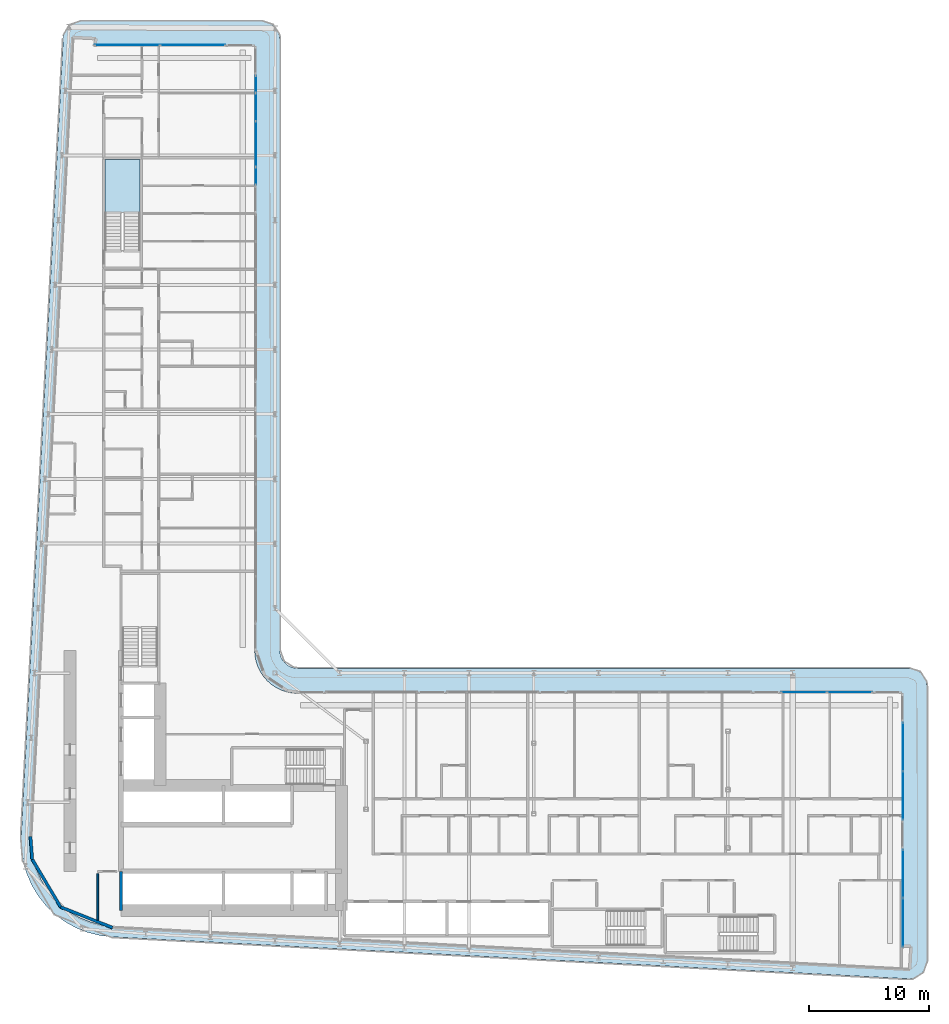
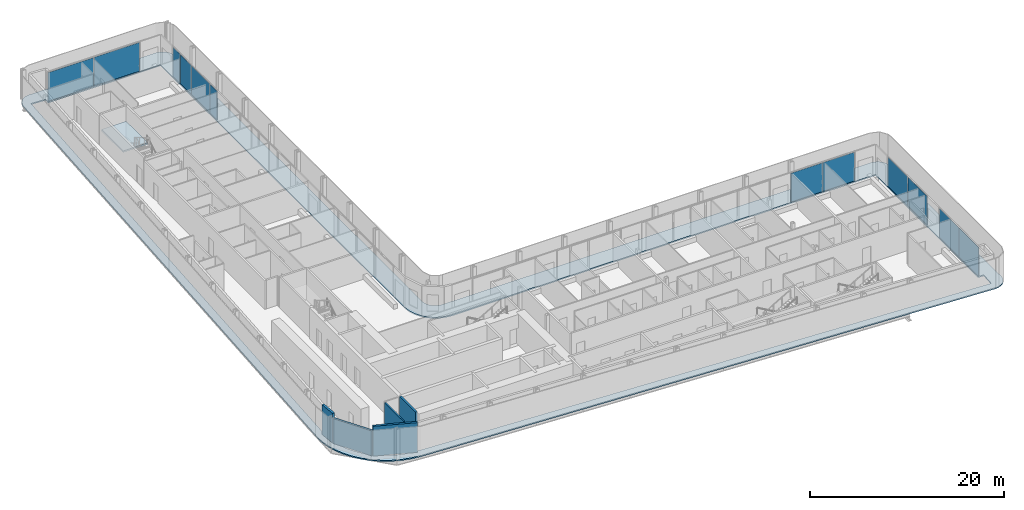
# One storey, part 11 of 27: 12 plates, 5 walls, 2 slabs, 7 elements without a shape of their own.
"""IFC4 building model written with IfcOpenShell, lengths in metres."""

from ifc_helpers import new_model, si_unit, direction, frame, frame_2d, origin, origin_2d, place, context, subcontext, project, spatial, polyline, rectangle, outline, extrude, material, layer, layer_set, type_object, element, aggregate, save


model = new_model("IFC4")

# Units and contexts
model_context = context("Model", 3, precision=1e-05, world=origin(), true_north=direction((0.0, 1.0)))
body_context = subcontext(model_context, "Body", "Model", "MODEL_VIEW")
ifc_project = project(units=[si_unit("LENGTHUNIT", "METRE"), si_unit("AREAUNIT", "SQUARE_METRE"), si_unit("VOLUMEUNIT", "CUBIC_METRE"), si_unit("PLANEANGLEUNIT", "RADIAN"), si_unit("MASSUNIT", "GRAM", prefix="KILO")], contexts=[model_context])

# Site, building, storey
site_placement = place(None, origin())
site = spatial("IfcSite", under=ifc_project, at=site_placement, CompositionType="ELEMENT")
building_placement = place(site_placement, origin())
building = spatial("IfcBuilding", under=site, at=building_placement, Name="Kheshtan School and Residences Tower", CompositionType="ELEMENT")
storey_placement = place(building_placement, frame((0.0, 0.0, 53.89990234375)))
storey = spatial("IfcBuildingStorey", under=building, at=storey_placement, Name="L12", CompositionType="ELEMENT", Elevation=53.89990234375)

# Curtain wall, plates
ifc_material_1 = material(Name="Clear low-e glass in thermally broken aluminium frame", Category="aluminium")
ifc_layer_1 = layer(ifc_material_1, 0.199951171875)
ifc_layer_set_1 = layer_set([ifc_layer_1], Name="Curtain wall CW-L")
curtain_wall_type = type_object("IfcCurtainWallType", Name="Curtain wall CW-L", PredefinedType="NOTDEFINED", material=ifc_layer_set_1)
curtain_wall_1_placement = place(storey_placement, origin())
curtain_wall_1 = element("IfcCurtainWall", 1, at=curtain_wall_1_placement, inside=storey, type_object=curtain_wall_type, Name="Curtain wall CWL7", PredefinedType="NOTDEFINED")
ifc_layer_2 = layer(ifc_material_1, 0.031982421875)
ifc_layer_set_2 = layer_set([ifc_layer_2], Name="CW-L glass panel")
plate_type = type_object("IfcPlateType", Name="CW-L glass panel", PredefinedType="CURTAIN_PANEL", material=ifc_layer_set_2)
plate_1_placement = place(storey_placement, frame((35.259033203125, 98.0, 0.000244140625), z_axis=(0.0, 0.0, 1.0), x_axis=(1.0, 0.0, 0.0)))
plate_1 = element("IfcPlate", 2, at=plate_1_placement, type_object=plate_type, Name="CWL7 panel 1.1", PredefinedType="CURTAIN_PANEL", context=body_context, shape_type="SweptSolid", body=[
    extrude(rectangle(XDim=5.4140625, YDim=0.031982421875, at=origin_2d()), origin(), (0.0, 0.0, 1.0), 3.6298828125),
])
plate_2_placement = place(storey_placement, frame((40.73291015625, 98.0, 0.000244140625), z_axis=(0.0, 0.0, 1.0), x_axis=(1.0, 0.0, 0.0)))
plate_2 = element("IfcPlate", 3, at=plate_2_placement, type_object=plate_type, Name="CWL7 panel 2.1", PredefinedType="CURTAIN_PANEL", context=body_context, shape_type="SweptSolid", body=[
    extrude(rectangle(XDim=5.4140625, YDim=0.031982421875, at=origin_2d()), origin(), (0.0, 0.0, 1.0), 3.6298828125),
])
aggregate(curtain_wall_1, [plate_1, plate_2])

curtain_wall_2_placement = place(storey_placement, origin())
curtain_wall_2 = element("IfcCurtainWall", 4, at=curtain_wall_2_placement, inside=storey, type_object=curtain_wall_type, Name="Curtain wall CWL8c", PredefinedType="NOTDEFINED")
plate_3_placement = place(storey_placement, frame((46.0, 94.735107421875, 0.000244140625), z_axis=(0.0, 0.0, 1.0), x_axis=(0.0, -1.0, 0.0)))
plate_3 = element("IfcPlate", 5, at=plate_3_placement, type_object=plate_type, Name="CWL8c panel 1.1", PredefinedType="CURTAIN_PANEL", context=body_context, shape_type="SweptSolid", body=[
    extrude(rectangle(XDim=1.409912109375, YDim=0.031982421875, at=origin_2d()), origin(), (0.0, 0.0, 1.0), 3.6298828125),
])
plate_4_placement = place(storey_placement, frame((46.0, 92.826416015625, 0.000244140625), z_axis=(0.0, 0.0, 1.0), x_axis=(0.0, -1.0, 0.0)))
plate_4 = element("IfcPlate", 6, at=plate_4_placement, type_object=plate_type, Name="CWL8c panel 2.1", PredefinedType="CURTAIN_PANEL", context=body_context, shape_type="SweptSolid", body=[
    extrude(rectangle(XDim=2.287109375, YDim=0.031982421875, at=origin_2d()), origin(), (0.0, 0.0, 1.0), 3.6298828125),
])
plate_5_placement = place(storey_placement, frame((46.0, 89.744384765625, 0.000244140625), z_axis=(0.0, 0.0, 1.0), x_axis=(0.0, -1.0, 0.0)))
plate_5 = element("IfcPlate", 7, at=plate_5_placement, type_object=plate_type, Name="CWL8c panel 3.1", PredefinedType="CURTAIN_PANEL", context=body_context, shape_type="SweptSolid", body=[
    extrude(rectangle(XDim=3.757080078125, YDim=0.031982421875, at=origin_2d()), origin(), (0.0, 0.0, 1.0), 3.6298828125),
])
aggregate(curtain_wall_2, [plate_3, plate_4, plate_5])

# Curtain wall, plate
curtain_wall_3_placement = place(storey_placement, origin())
curtain_wall_3 = element("IfcCurtainWall", 8, at=curtain_wall_3_placement, inside=storey, type_object=curtain_wall_type, Name="Curtain wall CWL8a", PredefinedType="NOTDEFINED")
plate_6_placement = place(storey_placement, frame((46.0, 87.0859375, 0.000244140625), z_axis=(0.0, 0.0, 1.0), x_axis=(0.0, -1.0, 0.0)))
plate_6 = element("IfcPlate", 9, at=plate_6_placement, type_object=plate_type, Name="CWL8a panel 1.1", PredefinedType="CURTAIN_PANEL", context=body_context, shape_type="SweptSolid", body=[
    extrude(rectangle(XDim=1.43994140625, YDim=0.031982421875, at=origin_2d()), origin(), (0.0, 0.0, 1.0), 3.6298828125),
])
aggregate(curtain_wall_3, [plate_6])

# Curtain wall, plates
curtain_wall_4_placement = place(storey_placement, origin())
curtain_wall_4 = element("IfcCurtainWall", 10, at=curtain_wall_4_placement, inside=storey, type_object=curtain_wall_type, Name="Curtain wall CWL12j", PredefinedType="NOTDEFINED")
plate_7_placement = place(storey_placement, frame((91.744384765625, 44.0, 0.000244140625), z_axis=(0.0, 0.0, 1.0), x_axis=(1.0, 0.0, 0.0)))
plate_7 = element("IfcPlate", 11, at=plate_7_placement, type_object=plate_type, Name="CWL12j panel 1.1", PredefinedType="CURTAIN_PANEL", context=body_context, shape_type="SweptSolid", body=[
    extrude(rectangle(XDim=3.757080078125, YDim=0.031982421875, at=origin_2d()), origin(), (0.0, 0.0, 1.0), 3.6298828125),
])
plate_8_placement = place(storey_placement, frame((95.5615234375, 44.0, 0.000244140625), z_axis=(0.0, 0.0, 1.0), x_axis=(1.0, 0.0, 0.0)))
plate_8 = element("IfcPlate", 12, at=plate_8_placement, type_object=plate_type, Name="CWL12j panel 2.1", PredefinedType="CURTAIN_PANEL", context=body_context, shape_type="SweptSolid", body=[
    extrude(rectangle(XDim=3.757080078125, YDim=0.031982421875, at=origin_2d()), origin(), (0.0, 0.0, 1.0), 3.6298828125),
])
aggregate(curtain_wall_4, [plate_7, plate_8])

curtain_wall_5_placement = place(storey_placement, origin())
curtain_wall_5 = element("IfcCurtainWall", 13, at=curtain_wall_5_placement, inside=storey, type_object=curtain_wall_type, Name="Curtain wall CWL13b", PredefinedType="NOTDEFINED")
plate_9_placement = place(storey_placement, frame((100.0, 39.436767578125, 0.000244140625), z_axis=(0.0, 0.0, 1.0), x_axis=(0.0, -1.0, 0.0)))
plate_9 = element("IfcPlate", 14, at=plate_9_placement, type_object=plate_type, Name="CWL13b panel 1.1", PredefinedType="CURTAIN_PANEL", context=body_context, shape_type="SweptSolid", body=[
    extrude(rectangle(XDim=4.006591796875, YDim=0.031982421875, at=origin_2d()), origin(), (0.0, 0.0, 1.0), 3.6298828125),
])
plate_10_placement = place(storey_placement, frame((100.0, 35.370361328125, 0.000244140625), z_axis=(0.0, 0.0, 1.0), x_axis=(0.0, -1.0, 0.0)))
plate_10 = element("IfcPlate", 15, at=plate_10_placement, type_object=plate_type, Name="CWL13b panel 2.1", PredefinedType="CURTAIN_PANEL", context=body_context, shape_type="SweptSolid", body=[
    extrude(rectangle(XDim=4.006591796875, YDim=0.031982421875, at=origin_2d()), origin(), (0.0, 0.0, 1.0), 3.6298828125),
])
aggregate(curtain_wall_5, [plate_9, plate_10])

curtain_wall_6_placement = place(storey_placement, origin())
curtain_wall_6 = element("IfcCurtainWall", 16, at=curtain_wall_6_placement, inside=storey, type_object=curtain_wall_type, Name="Curtain wall CWL13b", PredefinedType="NOTDEFINED")
plate_11_placement = place(storey_placement, frame((100.0, 28.84375, 0.000244140625), z_axis=(0.0, 0.0, 1.0), x_axis=(0.0, -1.0, 0.0)))
plate_11 = element("IfcPlate", 17, at=plate_11_placement, type_object=plate_type, Name="CWL13b panel 1.1", PredefinedType="CURTAIN_PANEL", context=body_context, shape_type="SweptSolid", body=[
    extrude(rectangle(XDim=4.006591796875, YDim=0.031982421875, at=origin_2d()), origin(), (0.0, 0.0, 1.0), 3.6298828125),
])
plate_12_placement = place(storey_placement, frame((100.0, 24.77734375, 0.000244140625), z_axis=(0.0, 0.0, 1.0), x_axis=(0.0, -1.0, 0.0)))
plate_12 = element("IfcPlate", 18, at=plate_12_placement, type_object=plate_type, Name="CWL13b panel 2.1", PredefinedType="CURTAIN_PANEL", context=body_context, shape_type="SweptSolid", body=[
    extrude(rectangle(XDim=4.006591796875, YDim=0.031982421875, at=origin_2d()), origin(), (0.0, 0.0, 1.0), 3.6298828125),
])
aggregate(curtain_wall_6, [plate_11, plate_12])

# Slab
ifc_material_2 = material(Name="Concrete C40/50", Category="concrete")
ifc_layer_3 = layer(ifc_material_2, 0.14990234375)
ifc_layer_set_3 = layer_set([ifc_layer_3], Name="Loggia balcony slab 150 Concrete C40/50")
slab_type_1 = type_object("IfcSlabType", Name="Loggia balcony slab 150 Concrete C40/50", PredefinedType="FLOOR", material=ifc_layer_set_3)
slab_1_placement = place(storey_placement, frame((0.0, 0.0, -0.14990234375)))
element("IfcSlab", 19, at=slab_1_placement, inside=storey, type_object=slab_type_1, Name="Loggia balcony slab L12", PredefinedType="FLOOR", context=body_context, shape_type="SweptSolid", body=[
    extrude(outline(polyline([(28.4580078125, 26.222900390625), (28.45703125, 26.222900390625), (28.45703125, 26.22412109375), (28.4560546875, 26.22412109375), (27.81494140625, 27.0390625), (27.281005859375, 27.93798828125), (26.867919921875, 28.89990234375), (26.583984375, 29.89990234375), (26.583984375, 29.906982421875), (26.43408203125, 30.943115234375), (26.419921875, 31.989013671875), (29.925048828125, 98.5791015625), (29.930908203125, 98.626953125), (29.930908203125, 98.6279296875), (29.929931640625, 98.6279296875), (29.929931640625, 98.62890625), (29.928955078125, 98.62890625), (29.928955078125, 98.6298828125), (29.927978515625, 98.6298828125), (29.927978515625, 98.631103515625), (29.927001953125, 98.631103515625), (29.927001953125, 98.632080078125), (29.927001953125, 98.633056640625), (29.945068359375, 98.781005859375), (29.945068359375, 98.783935546875), (29.945068359375, 98.784912109375), (29.946044921875, 98.784912109375), (29.946044921875, 98.785888671875), (29.947021484375, 98.785888671875), (29.947021484375, 98.787109375), (29.947998046875, 98.787109375), (29.948974609375, 98.787109375), (29.948974609375, 98.7880859375), (29.949951171875, 98.7880859375), (29.949951171875, 98.7890625), (29.949951171875, 98.791015625), (30.0029296875, 98.98388671875), (30.083984375, 99.175048828125), (30.18896484375, 99.35302734375), (30.31103515625, 99.507080078125), (30.31201171875, 99.507080078125), (30.31201171875, 99.508056640625), (30.31298828125, 99.508056640625), (30.31298828125, 99.509033203125), (30.31396484375, 99.509033203125), (30.31396484375, 99.510009765625), (30.31494140625, 99.510009765625), (30.31494140625, 99.510986328125), (30.31591796875, 99.510986328125), (30.31591796875, 99.511962890625), (30.31689453125, 99.511962890625), (30.31689453125, 99.512939453125), (30.318115234375, 99.512939453125), (30.320068359375, 99.512939453125), (30.321044921875, 99.512939453125), (30.321044921875, 99.513916015625), (30.468017578125, 99.656982421875), (30.468994140625, 99.656982421875), (30.468994140625, 99.657958984375), (30.469970703125, 99.657958984375), (30.469970703125, 99.658935546875), (30.470947265625, 99.658935546875), (30.470947265625, 99.659912109375), (30.471923828125, 99.659912109375), (30.471923828125, 99.660888671875), (30.472900390625, 99.660888671875), (30.472900390625, 99.662109375), (30.47412109375, 99.662109375), (30.47412109375, 99.6630859375), (30.47509765625, 99.6630859375), (30.47509765625, 99.6640625), (30.635986328125, 99.777099609375), (30.820068359375, 99.873046875), (31.007080078125, 99.943115234375), (31.013916015625, 99.943115234375), (31.217041015625, 99.986083984375), (31.423095703125, 100.0), (46.5, 100.0), (46.696044921875, 99.987060546875), (46.887939453125, 99.948974609375), (46.89501953125, 99.948974609375), (47.073974609375, 99.885986328125), (47.243896484375, 99.801025390625), (47.2451171875, 99.801025390625), (47.2470703125, 99.801025390625), (47.248046875, 99.801025390625), (47.248046875, 99.802001953125), (47.2490234375, 99.802001953125), (47.2490234375, 99.802978515625), (47.25, 99.802978515625), (47.2529296875, 99.802978515625), (47.25390625, 99.802978515625), (47.25390625, 99.802001953125), (47.2548828125, 99.802001953125), (47.2548828125, 99.801025390625), (47.256103515625, 99.801025390625), (47.256103515625, 99.800048828125), (47.257080078125, 99.800048828125), (47.257080078125, 99.799072265625), (47.258056640625, 99.799072265625), (47.258056640625, 99.798095703125), (47.412109375, 99.696044921875), (47.4130859375, 99.696044921875), (47.4130859375, 99.695068359375), (47.4140625, 99.695068359375), (47.4140625, 99.694091796875), (47.4140625, 99.68994140625), (47.4140625, 99.68896484375), (47.4150390625, 99.68896484375), (47.4150390625, 99.68798828125), (47.416015625, 99.68798828125), (47.416015625, 99.68701171875), (47.4169921875, 99.68701171875), (47.4169921875, 99.68603515625), (47.554931640625, 99.568115234375), (47.554931640625, 99.56689453125), (47.555908203125, 99.56689453125), (47.555908203125, 99.56591796875), (47.556884765625, 99.56591796875), (47.556884765625, 99.56494140625), (47.55810546875, 99.56494140625), (47.55810546875, 99.56396484375), (47.55908203125, 99.56396484375), (47.55908203125, 99.56298828125), (47.56005859375, 99.56298828125), (47.56005859375, 99.56201171875), (47.56103515625, 99.56201171875), (47.56201171875, 99.56103515625), (47.56201171875, 99.56005859375), (47.56298828125, 99.56005859375), (47.56298828125, 99.55908203125), (47.56396484375, 99.55908203125), (47.56396484375, 99.55810546875), (47.56494140625, 99.55810546875), (47.56494140625, 99.556884765625), (47.56591796875, 99.556884765625), (47.56591796875, 99.555908203125), (47.56689453125, 99.555908203125), (47.56689453125, 99.554931640625), (47.568115234375, 99.554931640625), (47.68505859375, 99.41796875), (47.68603515625, 99.41796875), (47.68603515625, 99.4169921875), (47.68701171875, 99.4169921875), (47.68701171875, 99.416015625), (47.68798828125, 99.416015625), (47.68798828125, 99.4150390625), (47.68896484375, 99.4150390625), (47.68896484375, 99.4140625), (47.68994140625, 99.4140625), (47.694091796875, 99.4140625), (47.695068359375, 99.4140625), (47.695068359375, 99.4130859375), (47.696044921875, 99.4130859375), (47.696044921875, 99.412109375), (47.797119140625, 99.259033203125), (47.798095703125, 99.259033203125), (47.798095703125, 99.258056640625), (47.799072265625, 99.258056640625), (47.799072265625, 99.257080078125), (47.800048828125, 99.257080078125), (47.800048828125, 99.256103515625), (47.801025390625, 99.256103515625), (47.801025390625, 99.2548828125), (47.802001953125, 99.2548828125), (47.802001953125, 99.25390625), (47.802978515625, 99.25390625), (47.802978515625, 99.2529296875), (47.802978515625, 99.25), (47.802978515625, 99.2490234375), (47.802001953125, 99.2490234375), (47.802001953125, 99.248046875), (47.801025390625, 99.248046875), (47.801025390625, 99.2470703125), (47.801025390625, 99.243896484375), (47.801025390625, 99.242919921875), (47.885986328125, 99.073974609375), (47.948974609375, 98.89501953125), (47.948974609375, 98.887939453125), (47.987060546875, 98.696044921875), (48.0, 98.5), (48.0, 47.5), (48.012939453125, 47.303955078125), (48.051025390625, 47.113037109375), (48.051025390625, 47.10693359375), (48.051025390625, 47.10595703125), (48.114013671875, 46.926025390625), (48.200927734375, 46.75), (48.31005859375, 46.5869140625), (48.431884765625, 46.444091796875), (48.43310546875, 46.444091796875), (48.43310546875, 46.443115234375), (48.43408203125, 46.443115234375), (48.43408203125, 46.44189453125), (48.43505859375, 46.44189453125), (48.43505859375, 46.44091796875), (48.43603515625, 46.44091796875), (48.43603515625, 46.43994140625), (48.43701171875, 46.43994140625), (48.43701171875, 46.43896484375), (48.43798828125, 46.43896484375), (48.43896484375, 46.43798828125), (48.43896484375, 46.43701171875), (48.43994140625, 46.43701171875), (48.43994140625, 46.43603515625), (48.44091796875, 46.43603515625), (48.44091796875, 46.43505859375), (48.44189453125, 46.43505859375), (48.44189453125, 46.43408203125), (48.443115234375, 46.43408203125), (48.443115234375, 46.43310546875), (48.444091796875, 46.43310546875), (48.444091796875, 46.431884765625), (48.5869140625, 46.31005859375), (48.75, 46.200927734375), (48.926025390625, 46.114013671875), (49.10595703125, 46.051025390625), (49.10693359375, 46.051025390625), (49.113037109375, 46.051025390625), (49.303955078125, 46.012939453125), (49.5, 46.0), (100.5, 46.0), (100.696044921875, 45.987060546875), (100.887939453125, 45.948974609375), (100.89501953125, 45.948974609375), (101.073974609375, 45.885986328125), (101.241943359375, 45.801025390625), (101.242919921875, 45.801025390625), (101.2470703125, 45.801025390625), (101.248046875, 45.801025390625), (101.248046875, 45.802001953125), (101.2490234375, 45.802001953125), (101.2490234375, 45.802978515625), (101.25, 45.802978515625), (101.2529296875, 45.802978515625), (101.25390625, 45.802978515625), (101.25390625, 45.802001953125), (101.2548828125, 45.802001953125), (101.2548828125, 45.801025390625), (101.256103515625, 45.801025390625), (101.256103515625, 45.800048828125), (101.257080078125, 45.800048828125), (101.257080078125, 45.799072265625), (101.258056640625, 45.799072265625), (101.258056640625, 45.798095703125), (101.259033203125, 45.798095703125), (101.259033203125, 45.797119140625), (101.260009765625, 45.797119140625), (101.260009765625, 45.7958984375), (101.412109375, 45.696044921875), (101.4130859375, 45.696044921875), (101.4130859375, 45.695068359375), (101.4140625, 45.695068359375), (101.4140625, 45.694091796875), (101.4140625, 45.68994140625), (101.4140625, 45.68896484375), (101.4150390625, 45.68896484375), (101.4150390625, 45.68798828125), (101.416015625, 45.68798828125), (101.416015625, 45.68701171875), (101.4169921875, 45.68701171875), (101.4169921875, 45.68603515625), (101.41796875, 45.68603515625), (101.41796875, 45.68505859375), (101.4189453125, 45.68505859375), (101.4189453125, 45.68408203125), (101.554931640625, 45.568115234375), (101.554931640625, 45.56689453125), (101.555908203125, 45.56689453125), (101.555908203125, 45.56591796875), (101.556884765625, 45.56591796875), (101.556884765625, 45.56494140625), (101.55810546875, 45.56494140625), (101.55810546875, 45.56396484375), (101.55908203125, 45.56396484375), (101.55908203125, 45.56298828125), (101.56005859375, 45.56298828125), (101.56005859375, 45.56201171875), (101.56103515625, 45.56201171875), (101.56201171875, 45.56103515625), (101.56201171875, 45.56005859375), (101.56298828125, 45.56005859375), (101.56298828125, 45.55908203125), (101.56396484375, 45.55908203125), (101.56396484375, 45.55810546875), (101.56494140625, 45.55810546875), (101.56494140625, 45.556884765625), (101.56591796875, 45.556884765625), (101.56591796875, 45.555908203125), (101.56689453125, 45.555908203125), (101.56689453125, 45.554931640625), (101.568115234375, 45.554931640625), (101.681884765625, 45.4208984375), (101.68310546875, 45.4208984375), (101.68310546875, 45.419921875), (101.68408203125, 45.419921875), (101.68408203125, 45.4189453125), (101.68505859375, 45.4189453125), (101.68505859375, 45.41796875), (101.68603515625, 45.41796875), (101.68603515625, 45.4169921875), (101.68701171875, 45.4169921875), (101.68701171875, 45.416015625), (101.68798828125, 45.416015625), (101.68798828125, 45.4150390625), (101.68896484375, 45.4150390625), (101.68896484375, 45.4140625), (101.68994140625, 45.4140625), (101.694091796875, 45.4140625), (101.695068359375, 45.4140625), (101.695068359375, 45.4130859375), (101.696044921875, 45.4130859375), (101.696044921875, 45.412109375), (101.7939453125, 45.261962890625), (101.794921875, 45.261962890625), (101.794921875, 45.260986328125), (101.7958984375, 45.260986328125), (101.7958984375, 45.260009765625), (101.797119140625, 45.260009765625), (101.797119140625, 45.259033203125), (101.798095703125, 45.259033203125), (101.798095703125, 45.258056640625), (101.799072265625, 45.258056640625), (101.799072265625, 45.257080078125), (101.800048828125, 45.257080078125), (101.800048828125, 45.256103515625), (101.801025390625, 45.256103515625), (101.801025390625, 45.2548828125), (101.802001953125, 45.2548828125), (101.802001953125, 45.25390625), (101.802978515625, 45.25390625), (101.802978515625, 45.2529296875), (101.802978515625, 45.25), (101.802978515625, 45.2490234375), (101.802001953125, 45.2490234375), (101.802001953125, 45.248046875), (101.801025390625, 45.248046875), (101.801025390625, 45.2470703125), (101.801025390625, 45.240966796875), (101.801025390625, 45.239990234375), (101.885986328125, 45.073974609375), (101.948974609375, 44.89501953125), (101.948974609375, 44.887939453125), (101.987060546875, 44.696044921875), (102.0, 44.5), (102.0, 21.5810546875), (101.986083984375, 21.37890625), (101.945068359375, 21.179931640625), (101.945068359375, 21.173095703125), (101.8779296875, 20.989013671875), (101.785888671875, 20.80810546875), (101.6708984375, 20.64306640625), (101.6708984375, 20.64208984375), (101.6708984375, 20.64111328125), (101.6708984375, 20.639892578125), (101.672119140625, 20.639892578125), (101.672119140625, 20.638916015625), (101.672119140625, 20.636962890625), (101.672119140625, 20.635986328125), (101.6708984375, 20.635986328125), (101.6708984375, 20.635009765625), (101.5380859375, 20.491943359375), (101.534912109375, 20.489013671875), (101.533935546875, 20.489013671875), (101.533935546875, 20.488037109375), (101.532958984375, 20.488037109375), (101.531005859375, 20.488037109375), (101.530029296875, 20.488037109375), (101.530029296875, 20.489013671875), (101.529052734375, 20.489013671875), (101.528076171875, 20.489013671875), (101.527099609375, 20.489013671875), (101.3759765625, 20.364013671875), (101.2041015625, 20.256103515625), (101.01904296875, 20.174072265625), (100.8310546875, 20.116943359375), (100.823974609375, 20.116943359375), (100.6240234375, 20.0859375), (100.4208984375, 20.0830078125), (33.989013671875, 23.580078125), (33.94189453125, 23.5859375), (33.94091796875, 23.5859375), (33.93994140625, 23.5859375), (33.93994140625, 23.5849609375), (33.93896484375, 23.5849609375), (33.93896484375, 23.583984375), (33.93798828125, 23.583984375), (33.93798828125, 23.5830078125), (33.93701171875, 23.5830078125), (33.93701171875, 23.58203125), (33.93603515625, 23.58203125), (33.93505859375, 23.58203125), (32.952880859375, 23.697998046875), (32.949951171875, 23.697998046875), (32.948974609375, 23.697998046875), (32.948974609375, 23.698974609375), (32.947998046875, 23.698974609375), (32.947998046875, 23.699951171875), (32.947021484375, 23.699951171875), (32.947021484375, 23.700927734375), (32.947021484375, 23.702880859375), (32.947021484375, 23.7041015625), (32.946044921875, 23.7041015625), (32.946044921875, 23.705078125), (32.945068359375, 23.705078125), (32.944091796875, 23.705078125), (31.93603515625, 23.9609375), (31.928955078125, 23.9609375), (30.964111328125, 24.34912109375), (30.051025390625, 24.860107421875), (29.218994140625, 25.47900390625), (29.218994140625, 25.47998046875), (29.218017578125, 25.47998046875), (29.218017578125, 25.48095703125), (29.217041015625, 25.48095703125), (29.217041015625, 25.48193359375), (29.216064453125, 25.48193359375), (29.216064453125, 25.48291015625), (29.215087890625, 25.48291015625), (29.215087890625, 25.48388671875), (29.214111328125, 25.48388671875), (29.214111328125, 25.485107421875), (29.212890625, 25.485107421875), (29.212890625, 25.486083984375), (29.2119140625, 25.486083984375), (28.466064453125, 26.217041015625), (28.466064453125, 26.218017578125), (28.465087890625, 26.218017578125), (28.462890625, 26.218017578125), (28.4619140625, 26.218017578125), (28.4619140625, 26.218994140625), (28.4609375, 26.218994140625), (28.4609375, 26.219970703125), (28.4599609375, 26.219970703125), (28.4599609375, 26.220947265625), (28.458984375, 26.220947265625), (28.458984375, 26.221923828125), (28.4580078125, 26.221923828125), (28.4580078125, 26.222900390625)]), holes=[polyline([(29.12890625, 26.824951171875), (29.12890625, 26.823974609375), (29.1298828125, 26.823974609375), (29.1298828125, 26.822998046875), (29.131103515625, 26.822998046875), (29.131103515625, 26.822021484375), (29.132080078125, 26.822021484375), (29.132080078125, 26.821044921875), (29.133056640625, 26.821044921875), (29.133056640625, 26.820068359375), (29.134033203125, 26.820068359375), (29.7958984375, 26.173095703125), (29.7958984375, 26.172119140625), (29.797119140625, 26.172119140625), (29.798095703125, 26.172119140625), (29.799072265625, 26.172119140625), (29.799072265625, 26.1708984375), (29.800048828125, 26.1708984375), (29.800048828125, 26.169921875), (29.801025390625, 26.169921875), (29.801025390625, 26.1689453125), (29.802001953125, 26.1689453125), (29.802001953125, 26.16796875), (29.802978515625, 26.16796875), (29.802978515625, 26.1669921875), (29.803955078125, 26.1669921875), (29.803955078125, 26.166015625), (30.541015625, 25.616943359375), (31.35205078125, 25.1630859375), (32.208984375, 24.819091796875), (32.2099609375, 24.819091796875), (32.216064453125, 24.819091796875), (33.114990234375, 24.590087890625), (34.06591796875, 24.47705078125), (100.43798828125, 20.98291015625), (100.465087890625, 20.98388671875), (100.466064453125, 20.98388671875), (100.467041015625, 20.98388671875), (100.467041015625, 20.985107421875), (100.468017578125, 20.985107421875), (100.468017578125, 20.986083984375), (100.468017578125, 20.987060546875), (100.55810546875, 22.676025390625), (100.55810546875, 22.677001953125), (100.55810546875, 22.677978515625), (100.556884765625, 22.677978515625), (100.556884765625, 22.678955078125), (100.555908203125, 22.678955078125), (100.554931640625, 22.678955078125), (99.90087890625, 22.714111328125), (99.89990234375, 22.714111328125), (99.89990234375, 22.715087890625), (99.89990234375, 43.89794921875), (99.89990234375, 43.89892578125), (99.89892578125, 43.89892578125), (99.89892578125, 43.89990234375), (99.89794921875, 43.89990234375), (49.429931640625, 43.89990234375), (49.030029296875, 43.927001953125), (48.569091796875, 44.01806640625), (48.56201171875, 44.01806640625), (48.1201171875, 44.169921875), (47.697021484375, 44.37890625), (47.30810546875, 44.638916015625), (46.95703125, 44.944091796875), (46.95703125, 44.945068359375), (46.9560546875, 44.945068359375), (46.9560546875, 44.946044921875), (46.955078125, 44.946044921875), (46.955078125, 44.947021484375), (46.9541015625, 44.947021484375), (46.9541015625, 44.947998046875), (46.952880859375, 44.947998046875), (46.952880859375, 44.948974609375), (46.951904296875, 44.948974609375), (46.951904296875, 44.949951171875), (46.951904296875, 44.950927734375), (46.950927734375, 44.950927734375), (46.950927734375, 44.951904296875), (46.949951171875, 44.951904296875), (46.948974609375, 44.951904296875), (46.948974609375, 44.952880859375), (46.947998046875, 44.952880859375), (46.947998046875, 44.9541015625), (46.947021484375, 44.9541015625), (46.947021484375, 44.955078125), (46.946044921875, 44.955078125), (46.946044921875, 44.9560546875), (46.945068359375, 44.9560546875), (46.945068359375, 44.95703125), (46.944091796875, 44.95703125), (46.638916015625, 45.30810546875), (46.37890625, 45.697021484375), (46.169921875, 46.1201171875), (46.01806640625, 46.56201171875), (46.01806640625, 46.569091796875), (45.927001953125, 47.030029296875), (45.89990234375, 47.429931640625), (45.89990234375, 97.89794921875), (45.89990234375, 97.89892578125), (45.89892578125, 97.89892578125), (45.89892578125, 97.89990234375), (45.89794921875, 97.89990234375), (32.492919921875, 97.89990234375), (32.491943359375, 97.89990234375), (32.52099609375, 98.43896484375), (32.52099609375, 98.43994140625), (32.52099609375, 98.44091796875), (32.52001953125, 98.44091796875), (32.52001953125, 98.44189453125), (32.51904296875, 98.44189453125), (32.51806640625, 98.44189453125), (30.8291015625, 98.531982421875), (30.827880859375, 98.531982421875), (30.826904296875, 98.531982421875), (30.826904296875, 98.531005859375), (30.825927734375, 98.531005859375), (30.825927734375, 98.530029296875), (30.825927734375, 98.529052734375), (30.822021484375, 98.5009765625), (27.320068359375, 31.970947265625), (27.3330078125, 31.013916015625), (27.466064453125, 30.093994140625), (27.466064453125, 30.087890625), (27.466064453125, 30.0869140625), (27.718017578125, 29.200927734375), (28.0849609375, 28.345947265625), (28.55908203125, 27.550048828125), (29.126953125, 26.825927734375), (29.1279296875, 26.825927734375), (29.1279296875, 26.824951171875), (29.12890625, 26.824951171875)])]), origin(), (0.0, 0.0, 1.0), 0.14990234375),
])

# Stair, slab
stair_type = type_object("IfcStairType", Name="Exit stair, half-turn", PredefinedType="HALF_TURN_STAIR", material=ifc_material_2)
stair_placement = place(storey_placement, origin())
stair = element("IfcStair", 20, at=stair_placement, inside=storey, type_object=stair_type, Name="L12 Protected Exit Stair ST3", PredefinedType="HALF_TURN_STAIR")
ifc_layer_4 = layer(ifc_material_2, 0.199951171875)
ifc_layer_set_4 = layer_set([ifc_layer_4], Name="Stair landing 200 Concrete C40/50")
slab_type_2 = type_object("IfcSlabType", Name="Stair landing 200 Concrete C40/50", PredefinedType="LANDING", material=ifc_layer_set_4)
slab_2_placement = place(storey_placement, frame((0.0, 0.0, 1.75)))
slab_2 = element("IfcSlab", 21, at=slab_2_placement, type_object=slab_type_2, Name="ST3 landing 1", PredefinedType="LANDING", context=body_context, shape_type="SweptSolid", body=[
    extrude(outline(polyline([(36.35009765625, 83.97998046875), (36.35009765625, 88.4599609375), (33.39990234375, 88.4599609375), (33.39990234375, 83.97998046875), (36.35009765625, 83.97998046875)])), origin(), (0.0, 0.0, 1.0), 0.2001953125),
])
aggregate(stair, [slab_2])

# Walls
ifc_material_3 = material(Name="Concrete C40/50 with ceramic cladding and mineral wool insulation", Category="concrete")
ifc_layer_5 = layer(ifc_material_3, 0.25)
ifc_layer_set_5 = layer_set([ifc_layer_5], Name="External wall 250 ceramic clad")
wall_type_1 = type_object("IfcWallType", Name="External wall 250 ceramic clad", PredefinedType="SOLIDWALL", material=ifc_layer_set_5)
wall_1_placement = place(storey_placement, frame((34.0390625, 24.35302734375, 0.0), z_axis=(0.0, 0.0, 1.0), x_axis=(-0.929352825399, 0.369192803184, 0.0)))
element("IfcWall", 22, at=wall_1_placement, inside=storey, type_object=wall_type_1, Name="External wall L12 1", PredefinedType="SOLIDWALL", context=body_context, shape_type="SweptSolid", body=[
    extrude(rectangle(XDim=4.656005859375, YDim=0.25, at=frame_2d((2.328125, 0.0))), origin(), (0.0, 0.0, 1.0), 3.75),
])
wall_2_placement = place(storey_placement, frame((29.7119140625, 26.072021484375, 0.0), z_axis=(0.0, 0.0, 1.0), x_axis=(-0.511028049012, 0.859564036662, 0.0)))
element("IfcWall", 23, at=wall_2_placement, inside=storey, type_object=wall_type_1, Name="External wall L12 2", PredefinedType="SOLIDWALL", context=body_context, shape_type="SweptSolid", body=[
    extrude(rectangle(XDim=4.633544921875, YDim=0.25, at=frame_2d((2.31689453125, 0.0))), origin(), (0.0, 0.0, 1.0), 3.133056640625),
])
wall_3_placement = place(storey_placement, frame((27.343994140625, 30.054931640625, 0.0), z_axis=(0.0, 0.0, 1.0), x_axis=(-0.077571675317, 0.99698677784, 0.0)))
element("IfcWall", 24, at=wall_3_placement, inside=storey, type_object=wall_type_1, Name="External wall L12 3", PredefinedType="SOLIDWALL", context=body_context, shape_type="SweptSolid", body=[
    extrude(rectangle(XDim=1.919921875, YDim=0.25, at=frame_2d((0.9599609375, 0.0))), origin(), (0.0, 0.0, 1.0), 3.75),
])
ifc_material_4 = material(Name="Fire-board shaft wall system")
ifc_layer_6 = layer(ifc_material_4, 0.14990234375)
ifc_layer_set_6 = layer_set([ifc_layer_6], Name="Service room wall 150")
wall_type_2 = type_object("IfcWallType", Name="Service room wall 150", PredefinedType="PARTITIONING", material=ifc_layer_set_6)
wall_4_placement = place(storey_placement, frame((32.804931640625, 24.97998046875, 0.0), z_axis=(0.0, 0.0, 1.0), x_axis=(0.0, 1.0, 0.0)))
element("IfcWall", 25, at=wall_4_placement, inside=storey, type_object=wall_type_2, Name="Service room wall", PredefinedType="PARTITIONING", context=body_context, shape_type="SweptSolid", body=[
    extrude(rectangle(XDim=3.875, YDim=0.14990234375, at=frame_2d((1.9375, 0.0))), origin(), (0.0, 0.0, 1.0), 3.900146484375),
])
ifc_layer_7 = layer(ifc_material_4, 0.25)
ifc_layer_set_7 = layer_set([ifc_layer_7], Name="Shaft lining wall 250")
wall_type_3 = type_object("IfcWallType", Name="Shaft lining wall 250", PredefinedType="PARTITIONING", material=ifc_layer_set_7)
wall_5_placement = place(storey_placement, frame((34.75, 25.800048828125, 0.0), z_axis=(0.0, 0.0, 1.0), x_axis=(0.0, 1.0, 0.0)))
element("IfcWall", 26, at=wall_5_placement, inside=storey, type_object=wall_type_3, Name="Shaft lining wall", PredefinedType="PARTITIONING", context=body_context, shape_type="SweptSolid", body=[
    extrude(rectangle(XDim=3.25, YDim=0.25, at=frame_2d((1.625, 0.0))), origin(), (0.0, 0.0, 1.0), 3.900146484375),
])

save(model, "model.ifc")
